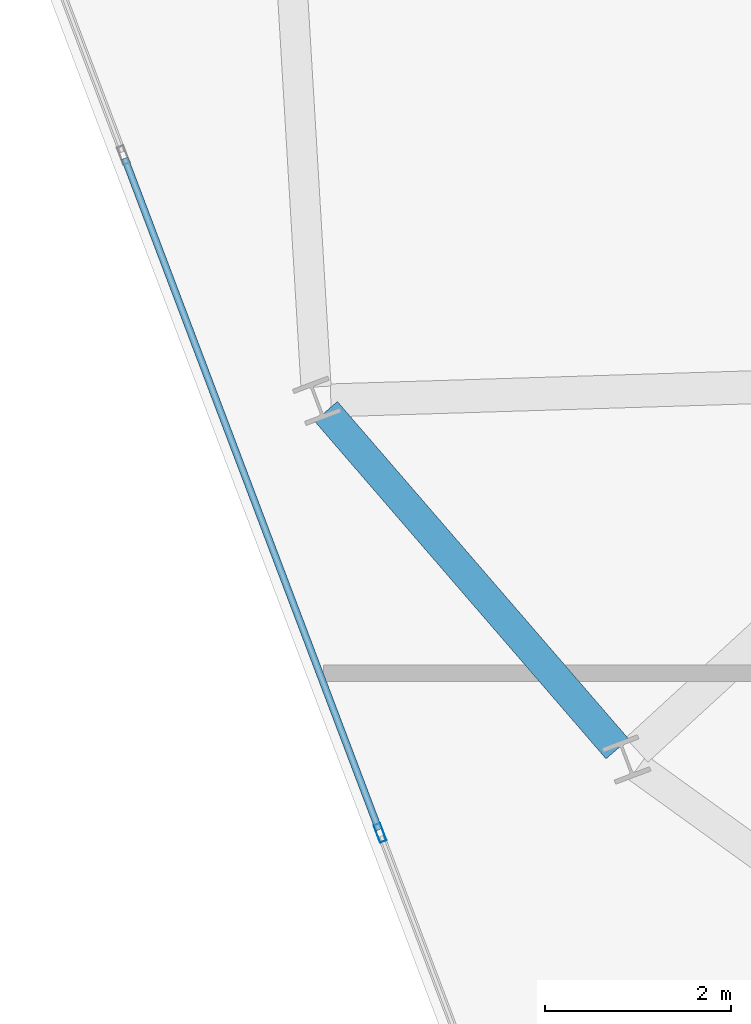
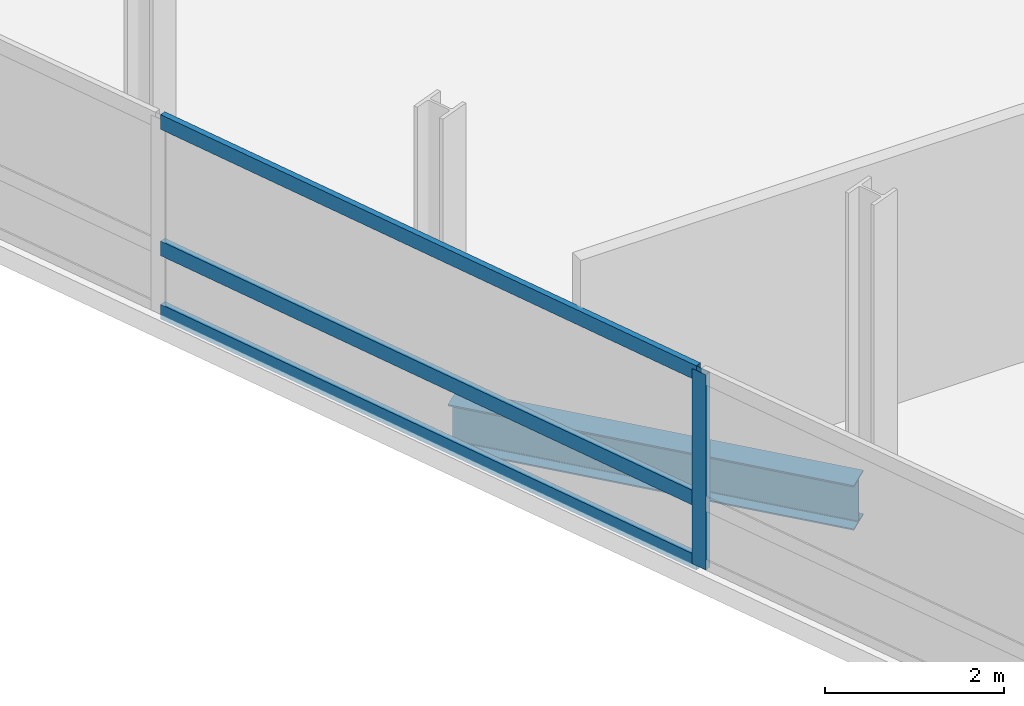
# One storey, part 5 of 19: 4 members, 1 beam, 1 element without a shape of its own.
"""IFC4 building model written with IfcOpenShell, lengths in metres."""

from ifc_helpers import new_model, si_unit, direction, frame, origin, origin_2d, place, context, subcontext, project, spatial, hollow_rectangle, i_section, extrude, material, layer, layer_set, material_profile, profile_set, type_object, element, aggregate, save


model = new_model("IFC4")

# Units and contexts
model_context = context("Model", 3, precision=1e-05, world=origin(), true_north=direction((0.0, 1.0)))
body_context = subcontext(model_context, "Body", "Model", "MODEL_VIEW")
ifc_project = project(units=[si_unit("LENGTHUNIT", "METRE"), si_unit("AREAUNIT", "SQUARE_METRE"), si_unit("VOLUMEUNIT", "CUBIC_METRE"), si_unit("PLANEANGLEUNIT", "RADIAN"), si_unit("MASSUNIT", "GRAM", prefix="KILO")], contexts=[model_context])

# Site, building, storey
site_placement = place(None, origin())
site = spatial("IfcSite", under=ifc_project, at=site_placement, CompositionType="ELEMENT")
building_placement = place(site_placement, origin())
building = spatial("IfcBuilding", under=site, at=building_placement, Name="Varnelok Gate Tower", CompositionType="ELEMENT")
storey_placement = place(building_placement, frame((0.0, 0.0, 249.699951171875)))
storey = spatial("IfcBuildingStorey", under=building, at=storey_placement, Name="L64", CompositionType="ELEMENT", Elevation=249.699951171875)

# Beam
ifc_material_1 = material(Name="Structural Steel ASTM A992 Grade 50", Category="steel")
ifc_material_profile_1 = material_profile(ifc_material_1, i_section(OverallWidth=0.323974609375, OverallDepth=0.611083984375, WebThickness=0.0126953125, FlangeThickness=0.01904296875, FilletRadius=0.01806640625, at=origin_2d()), Name="W24X104")
ifc_profile_set_1 = profile_set([ifc_material_profile_1], Name="Structural Steel ASTM A992 Grade 50")
beam_type = type_object("IfcBeamType", Name="BM-SPN-W24X104", PredefinedType="SPANDREL", material=ifc_profile_set_1)
beam_placement = place(storey_placement, frame((7.79248046875, 18.1669921875, -0.555419921875), z_axis=(0.653484787698, -0.756939649013, 0.0), x_axis=(0.756939649013, 0.653484787698, 0.0)))
element("IfcBeam", 1, at=beam_placement, inside=storey, type_object=beam_type, Name="L64 Perimeter Spandrel Beam 15", PredefinedType="SPANDREL", context=body_context, shape_type="SweptSolid", body=[
    extrude(i_section(OverallWidth=0.323974609375, OverallDepth=0.611083984375, WebThickness=0.0126953125, FlangeThickness=0.01904296875, FilletRadius=0.01806640625, at=origin_2d()), origin(), (0.0, 0.0, 1.0), 4.800048828125),
])

# Curtain wall, members
ifc_material_2 = material(Name="Anodized Aluminum Alloy 6063-T6", Category="aluminium")
ifc_layer = layer(ifc_material_2, 0.179931640625)
ifc_layer_set = layer_set([ifc_layer], Name="Anodized Aluminum Alloy 6063-T6")
curtain_wall_type = type_object("IfcCurtainWallType", Name="CW4-RESIDENCE-VISION", PredefinedType="USERDEFINED", material=ifc_layer_set)
curtain_wall_placement = place(storey_placement, origin())
curtain_wall = element("IfcCurtainWall", 2, at=curtain_wall_placement, inside=storey, type_object=curtain_wall_type, Name="L64 West End Vision Curtain Wall", ObjectType="UNITISED CURTAIN WALL", PredefinedType="USERDEFINED")
ifc_material_profile_2 = material_profile(ifc_material_2, hollow_rectangle(XDim=0.074951171875, YDim=0.199951171875, WallThickness=0.00390625, at=origin_2d()), Name="ALU200X75X4")
ifc_profile_set_2 = profile_set([ifc_material_profile_2], Name="Anodized Aluminum Alloy 6063-T6")
member_type_1 = type_object("IfcMemberType", Name="CW-MULL-200", PredefinedType="MULLION", material=ifc_profile_set_2)
member_1_placement = place(storey_placement, frame((8.375, 13.630126953125, 0.0), z_axis=(0.0, 0.0, 1.0), x_axis=(-0.935221557832, -0.354063042079, 0.0)))
member_1 = element("IfcMember", 3, at=member_1_placement, type_object=member_type_1, Name="CW4 mullion 3", PredefinedType="MULLION", context=body_context, shape_type="SweptSolid", body=[
    extrude(hollow_rectangle(XDim=0.074951171875, YDim=0.199951171875, WallThickness=0.00390625, at=origin_2d()), origin(), (0.0, 0.0, 1.0), 2.66015625),
])
ifc_material_profile_3 = material_profile(ifc_material_2, hollow_rectangle(XDim=0.074951171875, YDim=0.199951171875, WallThickness=0.00390625, at=origin_2d()), Name="ALU200X75X4")
ifc_profile_set_3 = profile_set([ifc_material_profile_3], Name="Anodized Aluminum Alloy 6063-T6")
member_type_2 = type_object("IfcMemberType", Name="CW-TRAN-200", PredefinedType="USERDEFINED", material=ifc_profile_set_3)
member_2_placement = place(storey_placement, frame((8.36181640625, 13.665283203125, 0.03759765625), z_axis=(-0.354058714128, 0.935223196328, 0.0), x_axis=(-0.935223196328, -0.354058714128, 0.0)))
member_2 = element("IfcMember", 4, at=member_2_placement, type_object=member_type_2, Name="CW4 transom 3.1", ObjectType="TRANSOM", PredefinedType="USERDEFINED", context=body_context, shape_type="SweptSolid", body=[
    extrude(hollow_rectangle(XDim=0.074951171875, YDim=0.199951171875, WallThickness=0.00390625, at=origin_2d()), origin(), (0.0, 0.0, 1.0), 7.72509765625),
])
member_3_placement = place(storey_placement, frame((8.36181640625, 13.665283203125, 0.900146484375), z_axis=(-0.354058714128, 0.935223196328, 0.0), x_axis=(-0.935223196328, -0.354058714128, 0.0)))
member_3 = element("IfcMember", 5, at=member_3_placement, type_object=member_type_2, Name="CW4 transom 3.2", ObjectType="TRANSOM", PredefinedType="USERDEFINED", context=body_context, shape_type="SweptSolid", body=[
    extrude(hollow_rectangle(XDim=0.074951171875, YDim=0.199951171875, WallThickness=0.00390625, at=origin_2d()), origin(), (0.0, 0.0, 1.0), 7.72509765625),
])
member_4_placement = place(storey_placement, frame((8.36181640625, 13.665283203125, 2.62255859375), z_axis=(-0.354058714128, 0.935223196328, 0.0), x_axis=(-0.935223196328, -0.354058714128, 0.0)))
member_4 = element("IfcMember", 6, at=member_4_placement, type_object=member_type_2, Name="CW4 transom 3.3", ObjectType="TRANSOM", PredefinedType="USERDEFINED", context=body_context, shape_type="SweptSolid", body=[
    extrude(hollow_rectangle(XDim=0.074951171875, YDim=0.199951171875, WallThickness=0.00390625, at=origin_2d()), origin(), (0.0, 0.0, 1.0), 7.72509765625),
])
aggregate(curtain_wall, [member_1, member_2, member_3, member_4])

save(model, "model.ifc")
